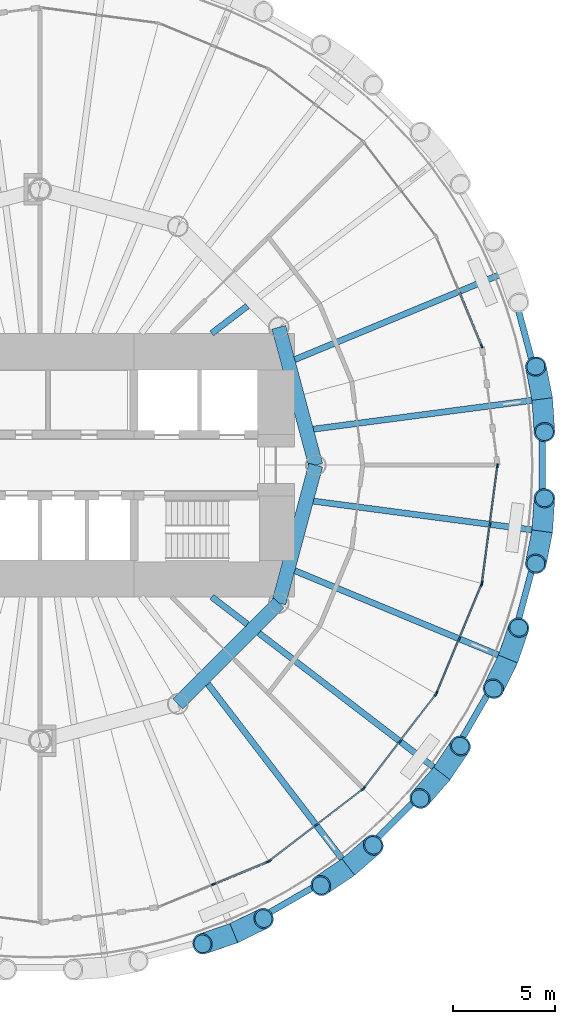
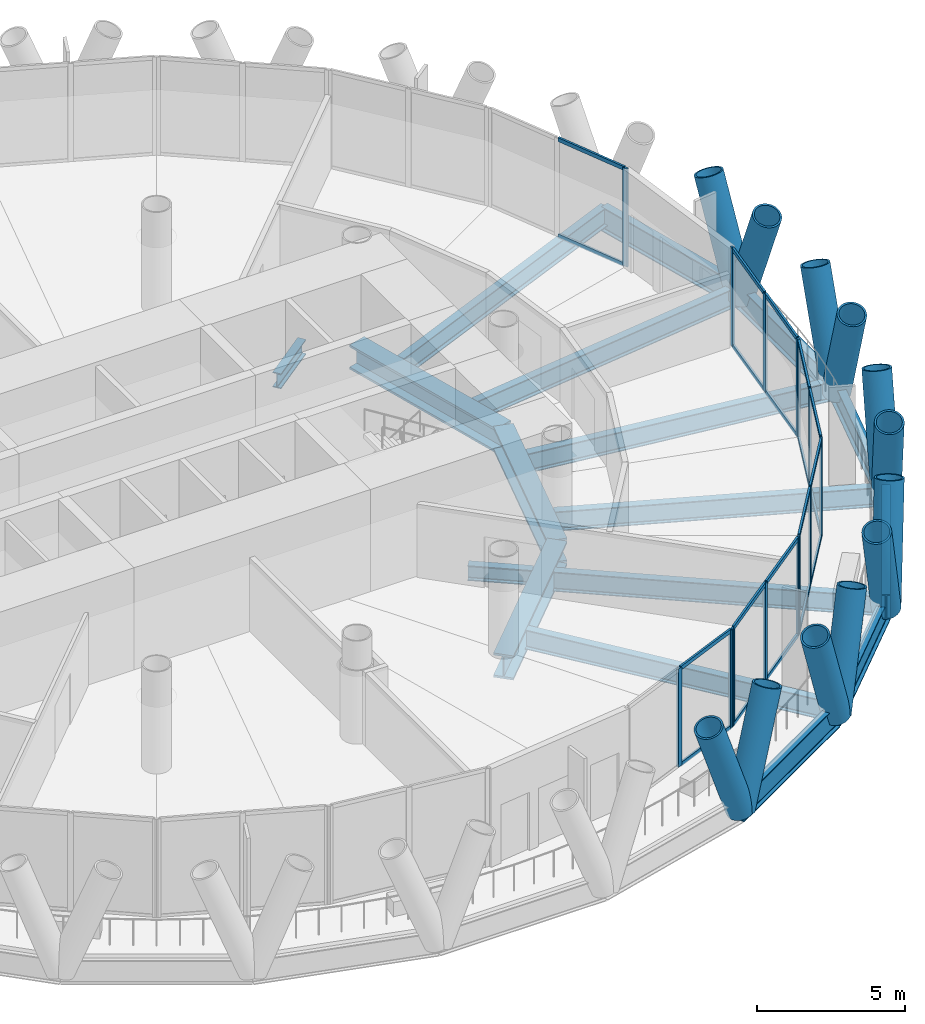
# One storey, part 4 of 14: 47 members, 17 beams, 6 elements without a shape of their own.
"""IFC4 building model written with IfcOpenShell, lengths in metres."""

from ifc_helpers import new_model, si_unit, direction, frame, origin, origin_2d, place, context, subcontext, project, spatial, rectangle, hollow_circle, i_section, extrude, material, material_profile, profile_set, type_object, element, aggregate, save


model = new_model("IFC4")

# Units and contexts
model_context = context("Model", 3, precision=1e-05, world=origin(), true_north=direction((0.0, 1.0)))
body_context = subcontext(model_context, "Body", "Model", "MODEL_VIEW")
ifc_project = project(units=[si_unit("LENGTHUNIT", "METRE"), si_unit("AREAUNIT", "SQUARE_METRE"), si_unit("VOLUMEUNIT", "CUBIC_METRE"), si_unit("PLANEANGLEUNIT", "RADIAN"), si_unit("MASSUNIT", "GRAM", prefix="KILO")], contexts=[model_context])

# Site, building, storey
site_placement = place(None, origin())
site = spatial("IfcSite", under=ifc_project, at=site_placement, CompositionType="ELEMENT")
building_placement = place(site_placement, origin())
building = spatial("IfcBuilding", under=site, at=building_placement, Name="Qaws Media Tower", CompositionType="ELEMENT")
storey_placement = place(building_placement, frame((0.0, 0.0, 152.0)))
storey = spatial("IfcBuildingStorey", under=building, at=storey_placement, Name="L34", CompositionType="ELEMENT", Elevation=152.0)

# Curtain wall, member
ifc_material_1 = material(Name="Aluminium and clear glass", Category="aluminium")
curtain_wall_type = type_object("IfcCurtainWallType", Name="Unitised curtain wall CW-B", PredefinedType="NOTDEFINED", material=ifc_material_1)
curtain_wall_1_placement = place(storey_placement, origin())
curtain_wall_1 = element("IfcCurtainWall", 1, at=curtain_wall_1_placement, inside=storey, type_object=curtain_wall_type, Name="CWB curtain wall L34-02", PredefinedType="NOTDEFINED")
ifc_material_2 = material(Name="Aluminium mullion", Category="aluminium")
ifc_material_profile_1 = material_profile(ifc_material_2, rectangle(XDim=0.080078125, YDim=0.199951171875, at=origin_2d()), Name="80x200")
ifc_profile_set_1 = profile_set([ifc_material_profile_1], Name="Aluminium mullion")
member_type_1 = type_object("IfcMemberType", Name="Curtain wall mullion 80x200", PredefinedType="MULLION", material=ifc_profile_set_1)
member_1_placement = place(storey_placement, frame((81.621337890625, 55.83447265625, 0.0), z_axis=(0.0, 0.0, 1.0), x_axis=(-0.923879490353, -0.382683534144, 0.0)))
member_1 = element("IfcMember", 2, at=member_1_placement, type_object=member_type_1, Name="CWB mullion 1", PredefinedType="MULLION", context=body_context, shape_type="SweptSolid", body=[
    extrude(rectangle(XDim=0.080078125, YDim=0.199951171875, at=origin_2d()), origin(), (0.0, 0.0, 1.0), 4.0400390625),
])

# Curtain wall, members
curtain_wall_2_placement = place(storey_placement, origin())
curtain_wall_2 = element("IfcCurtainWall", 3, at=curtain_wall_2_placement, inside=storey, type_object=curtain_wall_type, Name="CWB curtain wall L34-20", PredefinedType="NOTDEFINED")
member_2_placement = place(storey_placement, frame((68.498779296875, 29.482177734375, 0.0), z_axis=(0.0, 0.0, 1.0), x_axis=(-0.382683534144, 0.923879490353, 0.0)))
member_2 = element("IfcMember", 4, at=member_2_placement, type_object=member_type_1, Name="CWB mullion 2", PredefinedType="MULLION", context=body_context, shape_type="SweptSolid", body=[
    extrude(rectangle(XDim=0.080078125, YDim=0.199951171875, at=origin_2d()), origin(), (0.0, 0.0, 1.0), 4.0400390625),
])
member_3_placement = place(storey_placement, frame((71.1630859375, 30.585693359375, 0.0), z_axis=(0.0, 0.0, 1.0), x_axis=(-0.382683534144, 0.923879490353, 0.0)))
member_3 = element("IfcMember", 5, at=member_3_placement, type_object=member_type_1, Name="CWB mullion 3", PredefinedType="MULLION", context=body_context, shape_type="SweptSolid", body=[
    extrude(rectangle(XDim=0.080078125, YDim=0.199951171875, at=origin_2d()), origin(), (0.0, 0.0, 1.0), 4.0400390625),
])

curtain_wall_3_placement = place(storey_placement, origin())
curtain_wall_3 = element("IfcCurtainWall", 6, at=curtain_wall_3_placement, inside=storey, type_object=curtain_wall_type, Name="CWB curtain wall L34-21", PredefinedType="NOTDEFINED")
member_4_placement = place(storey_placement, frame((71.231689453125, 30.62548828125, 0.0), z_axis=(0.0, 0.0, 1.0), x_axis=(-0.608761404902, 0.793353358789, 0.0)))
member_4 = element("IfcMember", 7, at=member_4_placement, type_object=member_type_1, Name="CWB mullion 1", PredefinedType="MULLION", context=body_context, shape_type="SweptSolid", body=[
    extrude(rectangle(XDim=0.080078125, YDim=0.199951171875, at=origin_2d()), origin(), (0.0, 0.0, 1.0), 4.0400390625),
])
member_5_placement = place(storey_placement, frame((73.51953125, 32.380859375, 0.0), z_axis=(0.0, 0.0, 1.0), x_axis=(-0.608761404902, 0.793353358789, 0.0)))
member_5 = element("IfcMember", 8, at=member_5_placement, type_object=member_type_1, Name="CWB mullion 2", PredefinedType="MULLION", context=body_context, shape_type="SweptSolid", body=[
    extrude(rectangle(XDim=0.080078125, YDim=0.199951171875, at=origin_2d()), origin(), (0.0, 0.0, 1.0), 4.0400390625),
])
member_6_placement = place(storey_placement, frame((75.807373046875, 34.136474609375, 0.0), z_axis=(0.0, 0.0, 1.0), x_axis=(-0.608761404902, 0.793353358789, 0.0)))
member_6 = element("IfcMember", 9, at=member_6_placement, type_object=member_type_1, Name="CWB mullion 3", PredefinedType="MULLION", context=body_context, shape_type="SweptSolid", body=[
    extrude(rectangle(XDim=0.080078125, YDim=0.199951171875, at=origin_2d()), origin(), (0.0, 0.0, 1.0), 4.0400390625),
])

curtain_wall_4_placement = place(storey_placement, origin())
curtain_wall_4 = element("IfcCurtainWall", 10, at=curtain_wall_4_placement, inside=storey, type_object=curtain_wall_type, Name="CWB curtain wall L34-22", PredefinedType="NOTDEFINED")
member_7_placement = place(storey_placement, frame((75.863525390625, 34.192626953125, 0.0), z_axis=(0.0, 0.0, 1.0), x_axis=(-0.793353358789, 0.608761404902, 0.0)))
member_7 = element("IfcMember", 11, at=member_7_placement, type_object=member_type_1, Name="CWB mullion 1", PredefinedType="MULLION", context=body_context, shape_type="SweptSolid", body=[
    extrude(rectangle(XDim=0.080078125, YDim=0.199951171875, at=origin_2d()), origin(), (0.0, 0.0, 1.0), 4.0400390625),
])
member_8_placement = place(storey_placement, frame((77.619140625, 36.48046875, 0.0), z_axis=(0.0, 0.0, 1.0), x_axis=(-0.793353358789, 0.608761404902, 0.0)))
member_8 = element("IfcMember", 12, at=member_8_placement, type_object=member_type_1, Name="CWB mullion 2", PredefinedType="MULLION", context=body_context, shape_type="SweptSolid", body=[
    extrude(rectangle(XDim=0.080078125, YDim=0.199951171875, at=origin_2d()), origin(), (0.0, 0.0, 1.0), 4.0400390625),
])
member_9_placement = place(storey_placement, frame((79.37451171875, 38.768310546875, 0.0), z_axis=(0.0, 0.0, 1.0), x_axis=(-0.793353358789, 0.608761404902, 0.0)))
member_9 = element("IfcMember", 13, at=member_9_placement, type_object=member_type_1, Name="CWB mullion 3", PredefinedType="MULLION", context=body_context, shape_type="SweptSolid", body=[
    extrude(rectangle(XDim=0.080078125, YDim=0.199951171875, at=origin_2d()), origin(), (0.0, 0.0, 1.0), 4.0400390625),
])

curtain_wall_5_placement = place(storey_placement, origin())
curtain_wall_5 = element("IfcCurtainWall", 14, at=curtain_wall_5_placement, inside=storey, type_object=curtain_wall_type, Name="CWB curtain wall L34-23", PredefinedType="NOTDEFINED")
member_10_placement = place(storey_placement, frame((79.414306640625, 38.8369140625, 0.0), z_axis=(0.0, 0.0, 1.0), x_axis=(-0.923879490353, 0.382683534144, 0.0)))
member_10 = element("IfcMember", 15, at=member_10_placement, type_object=member_type_1, Name="CWB mullion 1", PredefinedType="MULLION", context=body_context, shape_type="SweptSolid", body=[
    extrude(rectangle(XDim=0.080078125, YDim=0.199951171875, at=origin_2d()), origin(), (0.0, 0.0, 1.0), 4.0400390625),
])
member_11_placement = place(storey_placement, frame((80.517822265625, 41.501220703125, 0.0), z_axis=(0.0, 0.0, 1.0), x_axis=(-0.923879490353, 0.382683534144, 0.0)))
member_11 = element("IfcMember", 16, at=member_11_placement, type_object=member_type_1, Name="CWB mullion 2", PredefinedType="MULLION", context=body_context, shape_type="SweptSolid", body=[
    extrude(rectangle(XDim=0.080078125, YDim=0.199951171875, at=origin_2d()), origin(), (0.0, 0.0, 1.0), 4.0400390625),
])
member_12_placement = place(storey_placement, frame((81.621337890625, 44.16552734375, 0.0), z_axis=(0.0, 0.0, 1.0), x_axis=(-0.923879490353, 0.382683534144, 0.0)))
member_12 = element("IfcMember", 17, at=member_12_placement, type_object=member_type_1, Name="CWB mullion 3", PredefinedType="MULLION", context=body_context, shape_type="SweptSolid", body=[
    extrude(rectangle(XDim=0.080078125, YDim=0.199951171875, at=origin_2d()), origin(), (0.0, 0.0, 1.0), 4.0400390625),
])

curtain_wall_6_placement = place(storey_placement, origin())
curtain_wall_6 = element("IfcCurtainWall", 18, at=curtain_wall_6_placement, inside=storey, type_object=curtain_wall_type, Name="CWB curtain wall L34-24", PredefinedType="NOTDEFINED")
member_13_placement = place(storey_placement, frame((81.641845703125, 44.2421875, 0.0), z_axis=(0.0, 0.0, 1.0), x_axis=(-0.991444873377, 0.130526101045, 0.0)))
member_13 = element("IfcMember", 19, at=member_13_placement, type_object=member_type_1, Name="CWB mullion 1", PredefinedType="MULLION", context=body_context, shape_type="SweptSolid", body=[
    extrude(rectangle(XDim=0.080078125, YDim=0.199951171875, at=origin_2d()), origin(), (0.0, 0.0, 1.0), 4.0400390625),
])
member_14_placement = place(storey_placement, frame((82.018310546875, 47.101318359375, 0.0), z_axis=(0.0, 0.0, 1.0), x_axis=(-0.991444873377, 0.130526101045, 0.0)))
member_14 = element("IfcMember", 20, at=member_14_placement, type_object=member_type_1, Name="CWB mullion 2", PredefinedType="MULLION", context=body_context, shape_type="SweptSolid", body=[
    extrude(rectangle(XDim=0.080078125, YDim=0.199951171875, at=origin_2d()), origin(), (0.0, 0.0, 1.0), 4.0400390625),
])
member_15_placement = place(storey_placement, frame((82.394775390625, 49.96044921875, 0.0), z_axis=(0.0, 0.0, 1.0), x_axis=(-0.991444873377, 0.130526101045, 0.0)))
member_15 = element("IfcMember", 21, at=member_15_placement, type_object=member_type_1, Name="CWB mullion 3", PredefinedType="MULLION", context=body_context, shape_type="SweptSolid", body=[
    extrude(rectangle(XDim=0.080078125, YDim=0.199951171875, at=origin_2d()), origin(), (0.0, 0.0, 1.0), 4.0400390625),
])

# Member
ifc_material_3 = material(Name="Aluminium transom", Category="aluminium")
ifc_material_profile_2 = material_profile(ifc_material_3, rectangle(XDim=0.080078125, YDim=0.159912109375, at=origin_2d()), Name="80x160")
ifc_profile_set_2 = profile_set([ifc_material_profile_2], Name="Aluminium transom")
member_type_2 = type_object("IfcMemberType", Name="Curtain wall transom 80x160", PredefinedType="USERDEFINED", material=ifc_profile_set_2)
member_16_placement = place(storey_placement, frame((81.606201171875, 55.871337890625, 0.0400390625), z_axis=(-0.382667074186, 0.923886308121, 0.0), x_axis=(-0.923886308121, -0.382667074186, 0.0)))
member_16 = element("IfcMember", 22, at=member_16_placement, type_object=member_type_2, Name="CWB transom 1.1", ObjectType="TRANSOM", PredefinedType="USERDEFINED", context=body_context, shape_type="SweptSolid", body=[
    extrude(rectangle(XDim=0.080078125, YDim=0.159912109375, at=origin_2d()), origin(), (0.0, 0.0, 1.0), 2.803955078125),
])

member_17_placement = place(storey_placement, frame((81.606201171875, 55.871337890625, 4.0), z_axis=(-0.382667074186, 0.923886308121, 0.0), x_axis=(-0.923886308121, -0.382667074186, 0.0)))
member_17 = element("IfcMember", 23, at=member_17_placement, type_object=member_type_2, Name="CWB transom 1.2", ObjectType="TRANSOM", PredefinedType="USERDEFINED", context=body_context, shape_type="SweptSolid", body=[
    extrude(rectangle(XDim=0.080078125, YDim=0.159912109375, at=origin_2d()), origin(), (0.0, 0.0, 1.0), 2.803955078125),
])

aggregate(curtain_wall_1, [member_1, member_16, member_17])

member_18_placement = place(storey_placement, frame((68.53564453125, 29.49755859375, 0.0400390625), z_axis=(0.923904341671, 0.382623532262, 0.0), x_axis=(-0.382623532262, 0.923904341671, 0.0)))
member_18 = element("IfcMember", 24, at=member_18_placement, type_object=member_type_2, Name="CWB transom 2.1", ObjectType="TRANSOM", PredefinedType="USERDEFINED", context=body_context, shape_type="SweptSolid", body=[
    extrude(rectangle(XDim=0.080078125, YDim=0.159912109375, at=origin_2d()), origin(), (0.0, 0.0, 1.0), 2.8037109375),
])

member_19_placement = place(storey_placement, frame((68.53564453125, 29.49755859375, 4.0), z_axis=(0.923904341671, 0.382623532262, 0.0), x_axis=(-0.382623532262, 0.923904341671, 0.0)))
member_19 = element("IfcMember", 25, at=member_19_placement, type_object=member_type_2, Name="CWB transom 2.2", ObjectType="TRANSOM", PredefinedType="USERDEFINED", context=body_context, shape_type="SweptSolid", body=[
    extrude(rectangle(XDim=0.080078125, YDim=0.159912109375, at=origin_2d()), origin(), (0.0, 0.0, 1.0), 2.8037109375),
])

aggregate(curtain_wall_2, [member_2, member_3, member_18, member_19])

member_20_placement = place(storey_placement, frame((71.263427734375, 30.649658203125, 0.0400390625), z_axis=(0.793316172096, 0.608809864482, 0.0), x_axis=(-0.608809864482, 0.793316172096, 0.0)))
member_20 = element("IfcMember", 26, at=member_20_placement, type_object=member_type_2, Name="CWB transom 1.1", ObjectType="TRANSOM", PredefinedType="USERDEFINED", context=body_context, shape_type="SweptSolid", body=[
    extrude(rectangle(XDim=0.080078125, YDim=0.159912109375, at=origin_2d()), origin(), (0.0, 0.0, 1.0), 2.803955078125),
])

member_21_placement = place(storey_placement, frame((71.263427734375, 30.649658203125, 4.0), z_axis=(0.793316172096, 0.608809864482, 0.0), x_axis=(-0.608809864482, 0.793316172096, 0.0)))
member_21 = element("IfcMember", 27, at=member_21_placement, type_object=member_type_2, Name="CWB transom 1.2", ObjectType="TRANSOM", PredefinedType="USERDEFINED", context=body_context, shape_type="SweptSolid", body=[
    extrude(rectangle(XDim=0.080078125, YDim=0.159912109375, at=origin_2d()), origin(), (0.0, 0.0, 1.0), 2.803955078125),
])

member_22_placement = place(storey_placement, frame((73.55126953125, 32.4052734375, 0.0400390625), z_axis=(0.793358226524, 0.608755061094, 0.0), x_axis=(-0.608755061094, 0.793358226524, 0.0)))
member_22 = element("IfcMember", 28, at=member_22_placement, type_object=member_type_2, Name="CWB transom 2.1", ObjectType="TRANSOM", PredefinedType="USERDEFINED", context=body_context, shape_type="SweptSolid", body=[
    extrude(rectangle(XDim=0.080078125, YDim=0.159912109375, at=origin_2d()), origin(), (0.0, 0.0, 1.0), 2.8037109375),
])

member_23_placement = place(storey_placement, frame((73.55126953125, 32.4052734375, 4.0), z_axis=(0.793358226524, 0.608755061094, 0.0), x_axis=(-0.608755061094, 0.793358226524, 0.0)))
member_23 = element("IfcMember", 29, at=member_23_placement, type_object=member_type_2, Name="CWB transom 2.2", ObjectType="TRANSOM", PredefinedType="USERDEFINED", context=body_context, shape_type="SweptSolid", body=[
    extrude(rectangle(XDim=0.080078125, YDim=0.159912109375, at=origin_2d()), origin(), (0.0, 0.0, 1.0), 2.8037109375),
])

aggregate(curtain_wall_3, [member_4, member_5, member_6, member_20, member_21, member_22, member_23])

member_24_placement = place(storey_placement, frame((75.887939453125, 34.224365234375, 0.0400390625), z_axis=(0.608755061094, 0.793358226524, 0.0), x_axis=(-0.793358226524, 0.608755061094, 0.0)))
member_24 = element("IfcMember", 30, at=member_24_placement, type_object=member_type_2, Name="CWB transom 1.1", ObjectType="TRANSOM", PredefinedType="USERDEFINED", context=body_context, shape_type="SweptSolid", body=[
    extrude(rectangle(XDim=0.080078125, YDim=0.159912109375, at=origin_2d()), origin(), (0.0, 0.0, 1.0), 2.8037109375),
])

member_25_placement = place(storey_placement, frame((75.887939453125, 34.224365234375, 4.0), z_axis=(0.608755061094, 0.793358226524, 0.0), x_axis=(-0.793358226524, 0.608755061094, 0.0)))
member_25 = element("IfcMember", 31, at=member_25_placement, type_object=member_type_2, Name="CWB transom 1.2", ObjectType="TRANSOM", PredefinedType="USERDEFINED", context=body_context, shape_type="SweptSolid", body=[
    extrude(rectangle(XDim=0.080078125, YDim=0.159912109375, at=origin_2d()), origin(), (0.0, 0.0, 1.0), 2.8037109375),
])

member_26_placement = place(storey_placement, frame((77.643310546875, 36.51220703125, 0.0400390625), z_axis=(0.608809864482, 0.793316172096, 0.0), x_axis=(-0.793316172096, 0.608809864482, 0.0)))
member_26 = element("IfcMember", 32, at=member_26_placement, type_object=member_type_2, Name="CWB transom 2.1", ObjectType="TRANSOM", PredefinedType="USERDEFINED", context=body_context, shape_type="SweptSolid", body=[
    extrude(rectangle(XDim=0.080078125, YDim=0.159912109375, at=origin_2d()), origin(), (0.0, 0.0, 1.0), 2.803955078125),
])

member_27_placement = place(storey_placement, frame((77.643310546875, 36.51220703125, 4.0), z_axis=(0.608809864482, 0.793316172096, 0.0), x_axis=(-0.793316172096, 0.608809864482, 0.0)))
member_27 = element("IfcMember", 33, at=member_27_placement, type_object=member_type_2, Name="CWB transom 2.2", ObjectType="TRANSOM", PredefinedType="USERDEFINED", context=body_context, shape_type="SweptSolid", body=[
    extrude(rectangle(XDim=0.080078125, YDim=0.159912109375, at=origin_2d()), origin(), (0.0, 0.0, 1.0), 2.803955078125),
])

aggregate(curtain_wall_4, [member_7, member_8, member_9, member_24, member_25, member_26, member_27])

member_28_placement = place(storey_placement, frame((79.4296875, 38.8740234375, 0.0400390625), z_axis=(0.382623532262, 0.923904341671, 0.0), x_axis=(-0.923904341671, 0.382623532262, 0.0)))
member_28 = element("IfcMember", 34, at=member_28_placement, type_object=member_type_2, Name="CWB transom 1.1", ObjectType="TRANSOM", PredefinedType="USERDEFINED", context=body_context, shape_type="SweptSolid", body=[
    extrude(rectangle(XDim=0.080078125, YDim=0.159912109375, at=origin_2d()), origin(), (0.0, 0.0, 1.0), 2.8037109375),
])

member_29_placement = place(storey_placement, frame((79.4296875, 38.8740234375, 4.0), z_axis=(0.382623532262, 0.923904341671, 0.0), x_axis=(-0.923904341671, 0.382623532262, 0.0)))
member_29 = element("IfcMember", 35, at=member_29_placement, type_object=member_type_2, Name="CWB transom 1.2", ObjectType="TRANSOM", PredefinedType="USERDEFINED", context=body_context, shape_type="SweptSolid", body=[
    extrude(rectangle(XDim=0.080078125, YDim=0.159912109375, at=origin_2d()), origin(), (0.0, 0.0, 1.0), 2.8037109375),
])

member_30_placement = place(storey_placement, frame((80.533203125, 41.5380859375, 0.0400390625), z_axis=(0.382667074186, 0.923886308121, 0.0), x_axis=(-0.923886308121, 0.382667074186, 0.0)))
member_30 = element("IfcMember", 36, at=member_30_placement, type_object=member_type_2, Name="CWB transom 2.1", ObjectType="TRANSOM", PredefinedType="USERDEFINED", context=body_context, shape_type="SweptSolid", body=[
    extrude(rectangle(XDim=0.080078125, YDim=0.159912109375, at=origin_2d()), origin(), (0.0, 0.0, 1.0), 2.803955078125),
])

member_31_placement = place(storey_placement, frame((80.533203125, 41.5380859375, 4.0), z_axis=(0.382667074186, 0.923886308121, 0.0), x_axis=(-0.923886308121, 0.382667074186, 0.0)))
member_31 = element("IfcMember", 37, at=member_31_placement, type_object=member_type_2, Name="CWB transom 2.2", ObjectType="TRANSOM", PredefinedType="USERDEFINED", context=body_context, shape_type="SweptSolid", body=[
    extrude(rectangle(XDim=0.080078125, YDim=0.159912109375, at=origin_2d()), origin(), (0.0, 0.0, 1.0), 2.803955078125),
])

aggregate(curtain_wall_5, [member_10, member_11, member_12, member_28, member_29, member_30, member_31])

member_32_placement = place(storey_placement, frame((81.647216796875, 44.28173828125, 0.0400390625), z_axis=(0.130526591291, 0.991444808835, 0.0), x_axis=(-0.991444808835, 0.130526591291, 0.0)))
member_32 = element("IfcMember", 38, at=member_32_placement, type_object=member_type_2, Name="CWB transom 1.1", ObjectType="TRANSOM", PredefinedType="USERDEFINED", context=body_context, shape_type="SweptSolid", body=[
    extrude(rectangle(XDim=0.080078125, YDim=0.159912109375, at=origin_2d()), origin(), (0.0, 0.0, 1.0), 2.8037109375),
])

member_33_placement = place(storey_placement, frame((81.647216796875, 44.28173828125, 4.0), z_axis=(0.130526591291, 0.991444808835, 0.0), x_axis=(-0.991444808835, 0.130526591291, 0.0)))
member_33 = element("IfcMember", 39, at=member_33_placement, type_object=member_type_2, Name="CWB transom 1.2", ObjectType="TRANSOM", PredefinedType="USERDEFINED", context=body_context, shape_type="SweptSolid", body=[
    extrude(rectangle(XDim=0.080078125, YDim=0.159912109375, at=origin_2d()), origin(), (0.0, 0.0, 1.0), 2.8037109375),
])

member_34_placement = place(storey_placement, frame((82.023681640625, 47.140869140625, 0.0400390625), z_axis=(0.130526591291, 0.991444808835, 0.0), x_axis=(-0.991444808835, 0.130526591291, 0.0)))
member_34 = element("IfcMember", 40, at=member_34_placement, type_object=member_type_2, Name="CWB transom 2.1", ObjectType="TRANSOM", PredefinedType="USERDEFINED", context=body_context, shape_type="SweptSolid", body=[
    extrude(rectangle(XDim=0.080078125, YDim=0.159912109375, at=origin_2d()), origin(), (0.0, 0.0, 1.0), 2.8037109375),
])

member_35_placement = place(storey_placement, frame((82.023681640625, 47.140869140625, 4.0), z_axis=(0.130526591291, 0.991444808835, 0.0), x_axis=(-0.991444808835, 0.130526591291, 0.0)))
member_35 = element("IfcMember", 41, at=member_35_placement, type_object=member_type_2, Name="CWB transom 2.2", ObjectType="TRANSOM", PredefinedType="USERDEFINED", context=body_context, shape_type="SweptSolid", body=[
    extrude(rectangle(XDim=0.080078125, YDim=0.159912109375, at=origin_2d()), origin(), (0.0, 0.0, 1.0), 2.8037109375),
])

aggregate(curtain_wall_6, [member_13, member_14, member_15, member_32, member_33, member_34, member_35])

# Members
ifc_material_4 = material(Name="Steel S460", Category="steel")
ifc_material_profile_3 = material_profile(ifc_material_4, hollow_circle(Radius=0.508056640625, WallThickness=0.070068359375, at=origin_2d()), Name="CHS 1016x70")
ifc_profile_set_3 = profile_set([ifc_material_profile_3], Name="Steel S460")
member_type_3 = type_object("IfcMemberType", Name="Diagrid member CHS 1016x70", PredefinedType="USERDEFINED", material=ifc_profile_set_3)
for number, where, z_axis, x_axis, name in (
    (42, (84.587890625, 53.237060546875, -0.6640625), (-0.069626876217, 0.353448581919, 0.93285915231), (-0.981143948229, -0.193278433496, 0.0), "DG3 diagrid L34 A01"),
    (43, (84.587890625, 53.237060546875, -0.6640625), (0.024238889861, -0.359462194382, 0.932844792572), (0.997734254857, 0.067278203639, 0.0), "DG3 diagrid L34 B01"),
    (44, (69.490478515625, 27.087890625, -0.6640625), (0.323405346097, 0.158720229381, 0.932854153071), (-0.440578360022, 0.897714157558, 0.0), "DG3 diagrid L34 A20"),
    (45, (69.490478515625, 27.087890625, -0.6640625), (-0.340918595871, -0.116477357075, 0.932849149797), (0.323308237162, -0.946293709048, 0.0), "DG3 diagrid L34 B20"),
    (46, (75.09716796875, 30.324951171875, -0.6640625), (0.271348031437, 0.236968604592, 0.932853753958), (-0.657779667348, 0.753210401696, 0.0), "DG3 diagrid L34 A21"),
    (47, (75.09716796875, 30.324951171875, -0.6640625), (-0.29916380796, -0.200743958142, 0.932846653677), (0.557198519366, -0.830379316949, 0.0), "DG3 diagrid L34 B21"),
    (48, (79.675048828125, 34.90283203125, -0.6640625), (0.200743958142, 0.29916380796, 0.932846653677), (-0.830379316949, 0.557198519366, 0.0), "DG3 diagrid L34 A22"),
    (49, (79.675048828125, 34.90283203125, -0.6640625), (-0.236968604592, -0.271348031437, 0.932853753958), (0.753210401696, -0.657779667348, 0.0), "DG3 diagrid L34 B22"),
    (50, (82.912109375, 40.509521484375, -0.6640625), (0.116477357075, 0.340918595871, 0.932849149797), (-0.946293709048, 0.323308237162, 0.0), "DG3 diagrid L34 A23"),
    (51, (82.912109375, 40.509521484375, -0.6640625), (-0.158720229381, -0.323405346097, 0.932854153071), (0.897714157558, -0.440578360022, 0.0), "DG3 diagrid L34 B23"),
    (52, (84.587890625, 46.762939453125, -0.6640625), (0.024238889861, 0.359462194382, 0.932844792572), (-0.997734254857, 0.067278203639, 0.0), "DG3 diagrid L34 A24"),
    (53, (84.587890625, 46.762939453125, -0.6640625), (-0.069626876217, -0.353448581919, 0.93285915231), (0.981143948229, -0.193278433496, 0.0), "DG3 diagrid L34 B24"),
):
    element("IfcMember", number, at=place(storey_placement, frame(where, z_axis=z_axis, x_axis=x_axis)), inside=storey, type_object=member_type_3, Name=name, ObjectType="DIAGRID", PredefinedType="USERDEFINED", context=body_context, shape_type="SweptSolid", body=[
        extrude(hollow_circle(Radius=0.508056640625, WallThickness=0.070068359375, at=origin_2d()), origin(), (0.0, 0.0, 1.0), 4.502197265625),
    ])

# Beams
ifc_material_5 = material(Name="Steel S460", Category="steel")
ifc_material_profile_4 = material_profile(ifc_material_5, i_section(OverallWidth=0.302001953125, OverallDepth=1.008056640625, WebThickness=0.02099609375, FlangeThickness=0.0400390625, FilletRadius=0.030029296875, at=origin_2d()), Name="HE 1000 M")
ifc_profile_set_4 = profile_set([ifc_material_profile_4], Name="Steel S460")
beam_type_1 = type_object("IfcBeamType", Name="Edge ring beam HE 1000 M", PredefinedType="BEAM", material=ifc_profile_set_4)
for number, where, z_axis, x_axis, name in (
    (54, (84.587890625, 53.237060546875, -0.6640625), (-0.258845411707, 0.965918760993, 0.0), (-0.965918760993, -0.258845411707, 0.0), "RB3 edge ring beam L34-01"),
    (55, (69.490478515625, 27.087890625, -0.6640625), (0.866022936961, 0.500004272639, 0.0), (-0.500004272639, 0.866022936961, 0.0), "RB3 edge ring beam L34-20"),
    (56, (75.09716796875, 30.324951171875, -0.6640625), (0.707106781187, 0.707106781187, 0.0), (-0.707106781187, 0.707106781187, 0.0), "RB3 edge ring beam L34-21"),
    (57, (79.675048828125, 34.90283203125, -0.6640625), (0.500004272639, 0.866022936961, 0.0), (-0.866022936961, 0.500004272639, 0.0), "RB3 edge ring beam L34-22"),
    (58, (82.912109375, 40.509521484375, -0.6640625), (0.258845411707, 0.965918760993, 0.0), (-0.965918760993, 0.258845411707, 0.0), "RB3 edge ring beam L34-23"),
    (59, (84.587890625, 46.762939453125, -0.6640625), (0.0, 1.0, 0.0), (-1.0, 0.0, 0.0), "RB3 edge ring beam L34-24"),
):
    element("IfcBeam", number, at=place(storey_placement, frame(where, z_axis=z_axis, x_axis=x_axis)), inside=storey, type_object=beam_type_1, Name=name, PredefinedType="BEAM", context=body_context, shape_type="SweptSolid", body=[
        extrude(i_section(OverallWidth=0.302001953125, OverallDepth=1.008056640625, WebThickness=0.02099609375, FlangeThickness=0.0400390625, FilletRadius=0.030029296875, at=origin_2d()), origin(), (0.0, 0.0, 1.0), 6.47412109375),
    ])
ifc_material_6 = material(Name="Steel S460", Category="steel")
ifc_material_profile_5 = material_profile(ifc_material_6, i_section(OverallWidth=0.699951171875, OverallDepth=1.0, WebThickness=0.034912109375, FlangeThickness=0.090087890625, at=origin_2d()), Name="PG 1000x700")
ifc_profile_set_5 = profile_set([ifc_material_profile_5], Name="Steel S460")
beam_type_2 = type_object("IfcBeamType", Name="Inner ring girder PG 1000x700", PredefinedType="BEAM", material=ifc_profile_set_5)
beam_1_placement = place(storey_placement, frame((73.5, 50.0, -0.659912109375), z_axis=(-0.258810593767, 0.965928090778, 0.0), x_axis=(-0.965928090778, -0.258810593767, 0.0)))
element("IfcBeam", 60, at=beam_1_placement, inside=storey, type_object=beam_type_2, Name="B3 inner ring beam L34 I01-I02", PredefinedType="BEAM", context=body_context, shape_type="SweptSolid", body=[
    extrude(i_section(OverallWidth=0.699951171875, OverallDepth=1.0, WebThickness=0.034912109375, FlangeThickness=0.090087890625, at=origin_2d()), origin(), (0.0, 0.0, 1.0), 6.988037109375),
])
beam_2_placement = place(storey_placement, frame((66.75, 38.30859375, -0.659912109375), z_axis=(0.707106781187, 0.707106781187, 0.0), x_axis=(-0.707106781187, 0.707106781187, 0.0)))
element("IfcBeam", 61, at=beam_2_placement, inside=storey, type_object=beam_type_2, Name="B3 inner ring beam L34 I11-I12", PredefinedType="BEAM", context=body_context, shape_type="SweptSolid", body=[
    extrude(i_section(OverallWidth=0.699951171875, OverallDepth=1.0, WebThickness=0.034912109375, FlangeThickness=0.090087890625, at=origin_2d()), origin(), (0.0, 0.0, 1.0), 6.98828125),
])
beam_3_placement = place(storey_placement, frame((71.69140625, 43.25, -0.659912109375), z_axis=(0.258810593767, 0.965928090778, 0.0), x_axis=(-0.965928090778, 0.258810593767, 0.0)))
element("IfcBeam", 62, at=beam_3_placement, inside=storey, type_object=beam_type_2, Name="B3 inner ring beam L34 I12-I01", PredefinedType="BEAM", context=body_context, shape_type="SweptSolid", body=[
    extrude(i_section(OverallWidth=0.699951171875, OverallDepth=1.0, WebThickness=0.034912109375, FlangeThickness=0.090087890625, at=origin_2d()), origin(), (0.0, 0.0, 1.0), 6.988037109375),
])
ifc_material_7 = material(Name="Steel S355", Category="steel")
ifc_material_profile_6 = material_profile(ifc_material_7, i_section(OverallWidth=0.304931640625, OverallDepth=0.6201171875, WebThickness=0.02099609375, FlangeThickness=0.0400390625, FilletRadius=0.027099609375, at=origin_2d()), Name="HE 600 M")
ifc_profile_set_6 = profile_set([ifc_material_profile_6], Name="Steel S355")
beam_type_3 = type_object("IfcBeamType", Name="Radial beam HE 600 M, core side", PredefinedType="BEAM", material=ifc_profile_set_6)
for number, where, z_axis, x_axis, name in (
    (63, (68.40576171875, 56.449951171875, -0.469970703125), (0.793372769304, 0.608736107789, 0.0), (-0.608736107789, 0.793372769304, 0.0), "B2 radial beam L34 03"),
    (64, (68.40576171875, 43.550048828125, -0.469970703125), (0.793372769304, -0.608736107789, 0.0), (0.608736107789, 0.793372769304, 0.0), "B2 radial beam L34 22"),
):
    element("IfcBeam", number, at=place(storey_placement, frame(where, z_axis=z_axis, x_axis=x_axis)), inside=storey, type_object=beam_type_3, Name=name, PredefinedType="BEAM", context=body_context, shape_type="SweptSolid", body=[
        extrude(i_section(OverallWidth=0.304931640625, OverallDepth=0.6201171875, WebThickness=0.02099609375, FlangeThickness=0.0400390625, FilletRadius=0.027099609375, at=origin_2d()), origin(), (0.0, 0.0, 1.0), 2.204345703125),
    ])
ifc_material_8 = material(Name="Steel S355", Category="steel")
ifc_material_profile_7 = material_profile(ifc_material_8, i_section(OverallWidth=0.300048828125, OverallDepth=0.800048828125, WebThickness=0.017578125, FlangeThickness=0.032958984375, FilletRadius=0.030029296875, at=origin_2d()), Name="HE 800 B")
ifc_profile_set_7 = profile_set([ifc_material_profile_7], Name="Steel S355")
beam_type_4 = type_object("IfcBeamType", Name="Radial beam HE 800 B", PredefinedType="BEAM", material=ifc_profile_set_7)
beam_4_placement = place(storey_placement, frame((73.389892578125, 51.762939453125, -0.56005859375), z_axis=(0.991446274238, 0.130515460001, 0.0), x_axis=(-0.130515460001, 0.991446274238, 0.0)))
element("IfcBeam", 65, at=beam_4_placement, inside=storey, type_object=beam_type_4, Name="B1 radial beam L34 01", PredefinedType="BEAM", context=body_context, shape_type="SweptSolid", body=[
    extrude(i_section(OverallWidth=0.300048828125, OverallDepth=0.800048828125, WebThickness=0.017578125, FlangeThickness=0.032958984375, FilletRadius=0.030029296875, at=origin_2d()), origin(), (0.0, 0.0, 1.0), 11.294677734375),
])
beam_5_placement = place(storey_placement, frame((72.4775390625, 55.16845703125, -0.56005859375), z_axis=(0.923883259395, 0.382674434747, 0.0), x_axis=(-0.382674434747, 0.923883259395, 0.0)))
element("IfcBeam", 66, at=beam_5_placement, inside=storey, type_object=beam_type_4, Name="B1 radial beam L34 02", PredefinedType="BEAM", context=body_context, shape_type="SweptSolid", body=[
    extrude(i_section(OverallWidth=0.300048828125, OverallDepth=0.800048828125, WebThickness=0.017578125, FlangeThickness=0.032958984375, FilletRadius=0.030029296875, at=origin_2d()), origin(), (0.0, 0.0, 1.0), 11.294189453125),
])
for number, where, z_axis, x_axis, name in (
    (67, (68.2216796875, 39.285400390625, -0.56005859375), (0.608755509089, -0.79335788277, 0.0), (0.79335788277, 0.608755509089, 0.0), "B1 radial beam L34 21"),
    (68, (70.714599609375, 41.7783203125, -0.56005859375), (0.79335788277, -0.608755509089, 0.0), (0.608755509089, 0.79335788277, 0.0), "B1 radial beam L34 22"),
):
    element("IfcBeam", number, at=place(storey_placement, frame(where, z_axis=z_axis, x_axis=x_axis)), inside=storey, type_object=beam_type_4, Name=name, PredefinedType="BEAM", context=body_context, shape_type="SweptSolid", body=[
        extrude(i_section(OverallWidth=0.300048828125, OverallDepth=0.800048828125, WebThickness=0.017578125, FlangeThickness=0.032958984375, FilletRadius=0.030029296875, at=origin_2d()), origin(), (0.0, 0.0, 1.0), 11.29443359375),
    ])
beam_6_placement = place(storey_placement, frame((72.4775390625, 44.83154296875, -0.56005859375), z_axis=(0.923883259395, -0.382674434747, 0.0), x_axis=(0.382674434747, 0.923883259395, 0.0)))
element("IfcBeam", 69, at=beam_6_placement, inside=storey, type_object=beam_type_4, Name="B1 radial beam L34 23", PredefinedType="BEAM", context=body_context, shape_type="SweptSolid", body=[
    extrude(i_section(OverallWidth=0.300048828125, OverallDepth=0.800048828125, WebThickness=0.017578125, FlangeThickness=0.032958984375, FilletRadius=0.030029296875, at=origin_2d()), origin(), (0.0, 0.0, 1.0), 11.294189453125),
])
beam_7_placement = place(storey_placement, frame((73.389892578125, 48.237060546875, -0.56005859375), z_axis=(0.991446274238, -0.130515460001, 0.0), x_axis=(0.130515460001, 0.991446274238, 0.0)))
element("IfcBeam", 70, at=beam_7_placement, inside=storey, type_object=beam_type_4, Name="B1 radial beam L34 24", PredefinedType="BEAM", context=body_context, shape_type="SweptSolid", body=[
    extrude(i_section(OverallWidth=0.300048828125, OverallDepth=0.800048828125, WebThickness=0.017578125, FlangeThickness=0.032958984375, FilletRadius=0.030029296875, at=origin_2d()), origin(), (0.0, 0.0, 1.0), 11.294677734375),
])

save(model, "model.ifc")
